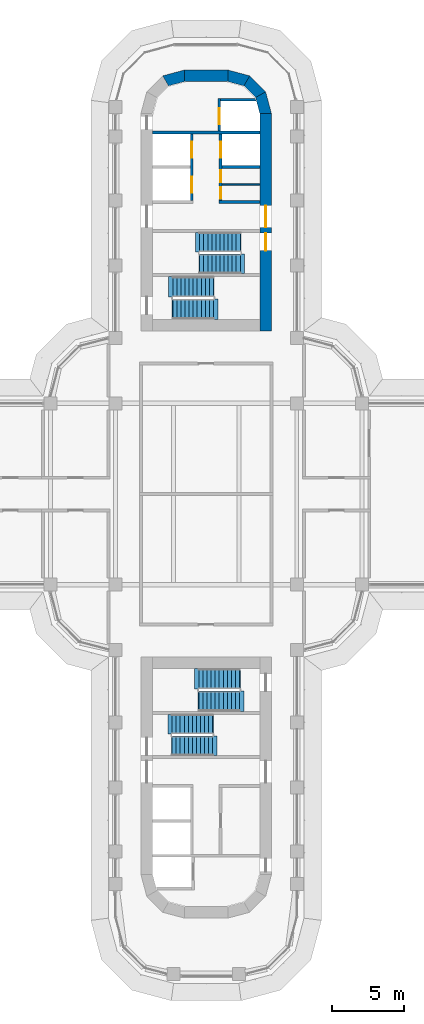
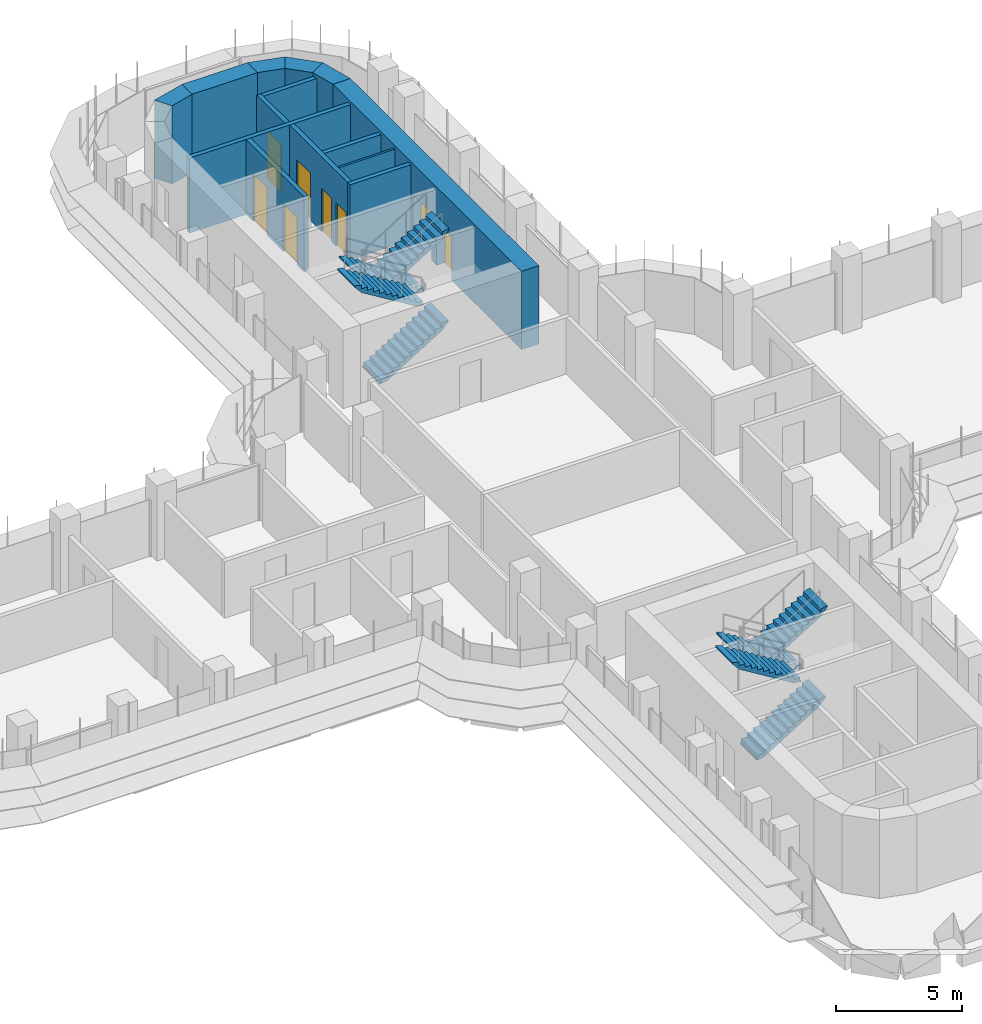
# One storey, part 17 of 21: 14 walls, 8 doors, 8 stair flights, 8 openings, 4 elements without a shape of their own.
"""IFC4 building model written with IfcOpenShell, lengths in metres."""

from ifc_helpers import new_model, si_unit, direction, frame, frame_2d, origin, place, context, subcontext, project, spatial, polyline, rectangle, outline, extrude, material, layer, layer_set, type_object, element, fill, aggregate, save


model = new_model("IFC4")

# Units and contexts
model_context = context("Model", 3, precision=1e-05, world=origin(), true_north=direction((0.0, 1.0)))
body_context = subcontext(model_context, "Body", "Model", "MODEL_VIEW")
ifc_project = project(units=[si_unit("LENGTHUNIT", "METRE"), si_unit("AREAUNIT", "SQUARE_METRE"), si_unit("VOLUMEUNIT", "CUBIC_METRE"), si_unit("PLANEANGLEUNIT", "RADIAN"), si_unit("MASSUNIT", "GRAM", prefix="KILO")], contexts=[model_context])

# Site, building, storey
site_placement = place(None, origin())
site = spatial("IfcSite", under=ifc_project, at=site_placement, CompositionType="ELEMENT")
building_placement = place(site_placement, origin())
building = spatial("IfcBuilding", under=site, at=building_placement, Name="Zarbagh Exchange Tower", CompositionType="ELEMENT")
storey_placement = place(building_placement, frame((0.0, 0.0, 120.800048828125)))
storey = spatial("IfcBuildingStorey", under=building, at=storey_placement, Name="L28", CompositionType="ELEMENT", Elevation=120.800048828125)

# Walls
ifc_material_1 = material(Name="Dense blockwork", Category="masonry")
ifc_layer_1 = layer(ifc_material_1, 0.10009765625)
ifc_layer_set_1 = layer_set([ifc_layer_1], Name="Core partition 100 mm blockwork")
wall_type_1 = type_object("IfcWallType", Name="Core partition 100 mm blockwork", PredefinedType="PARTITIONING", material=ifc_layer_set_1)
wall_1_placement = place(storey_placement, frame((1.10009765625, 21.35009765625, 0.0), z_axis=(0.0, 0.0, 1.0), x_axis=(1.0, 0.0, 0.0)))
element("IfcWall", 1, at=wall_1_placement, inside=storey, type_object=wall_type_1, Name="North core partition wall CUT-E-700", PredefinedType="PARTITIONING", context=body_context, shape_type="SweptSolid", body=[
    extrude(rectangle(XDim=2.599853515625, YDim=0.10009765625, at=frame_2d((1.2998046875, 0.0))), origin(), (0.0, 0.0, 1.0), 3.64990234375),
])
ifc_material_2 = material(Name="Concrete C60/75", Category="concrete")
ifc_layer_2 = layer(ifc_material_2, 0.800048828125)
ifc_layer_set_2 = layer_set([ifc_layer_2], Name="RC core corner wall 800 C60/75")
wall_type_2 = type_object("IfcWallType", Name="RC core corner wall 800 C60/75", PredefinedType="SHEAR", material=ifc_layer_set_2)
wall_2_placement = place(storey_placement, origin())
element("IfcWall", 2, at=wall_2_placement, inside=storey, type_object=wall_type_2, Name="CW4 core N corner W", PredefinedType="SHEAR", context=body_context, shape_type="SweptSolid", body=[
    extrude(outline(polyline([(-3.0, 28.84814453125), (-1.5, 29.25), (-1.5, 28.449951171875), (-2.60009765625, 28.1552734375), (-3.0, 28.84814453125)])), origin(), (0.0, 0.0, 1.0), 3.800048828125),
])
wall_3_placement = place(storey_placement, origin())
element("IfcWall", 3, at=wall_3_placement, inside=storey, type_object=wall_type_2, Name="CW4 core N corner E", PredefinedType="SHEAR", context=body_context, shape_type="SweptSolid", body=[
    extrude(outline(polyline([(4.5, 26.25), (4.09814453125, 27.75), (3.4052734375, 27.35009765625), (3.699951171875, 26.25), (4.5, 26.25)])), origin(), (0.0, 0.0, 1.0), 3.800048828125),
])
wall_4_placement = place(storey_placement, origin())
element("IfcWall", 4, at=wall_4_placement, inside=storey, type_object=wall_type_2, Name="CW4 core N corner E", PredefinedType="SHEAR", context=body_context, shape_type="SweptSolid", body=[
    extrude(outline(polyline([(4.09814453125, 27.75), (3.0, 28.84814453125), (2.60009765625, 28.1552734375), (3.4052734375, 27.35009765625), (4.09814453125, 27.75)])), origin(), (0.0, 0.0, 1.0), 3.800048828125),
])
wall_5_placement = place(storey_placement, origin())
element("IfcWall", 5, at=wall_5_placement, inside=storey, type_object=wall_type_2, Name="CW4 core N corner E", PredefinedType="SHEAR", context=body_context, shape_type="SweptSolid", body=[
    extrude(outline(polyline([(3.0, 28.84814453125), (1.5, 29.25), (1.5, 28.449951171875), (2.60009765625, 28.1552734375), (3.0, 28.84814453125)])), origin(), (0.0, 0.0, 1.0), 3.800048828125),
])

# Wall, openings, doors
ifc_layer_3 = layer(ifc_material_2, 0.800048828125)
ifc_layer_set_3 = layer_set([ifc_layer_3], Name="RC core wall 800 C60/75")
wall_type_3 = type_object("IfcWallType", Name="RC core wall 800 C60/75", PredefinedType="SHEAR", material=ifc_layer_set_3)
wall_6_placement = place(storey_placement, frame((4.10009765625, 11.25, 0.0), z_axis=(0.0, 0.0, 1.0), x_axis=(0.0, 1.0, 0.0)))
wall_6 = element("IfcWall", 6, at=wall_6_placement, inside=storey, type_object=wall_type_3, Name="CW3 core N E", PredefinedType="SHEAR", context=body_context, shape_type="SweptSolid", body=[
    extrude(rectangle(XDim=15.0, YDim=0.800048828125, at=frame_2d((7.5, 0.0))), origin(), (0.0, 0.0, 1.0), 3.800048828125),
])
opening_1_placement = place(wall_6_placement, frame((7.14990234375, 0.0, 0.0)))
opening_1 = element("IfcOpeningElement", 7, at=opening_1_placement, cuts=wall_6, Name="Opening CD1-1500", PredefinedType="OPENING", context=body_context, shape_type="SweptSolid", body=[
    extrude(rectangle(XDim=1.5, YDim=2.300048828125, at=frame_2d((0.75, 1.14990234375))), frame((0.0, 0.409912109375, 0.0), z_axis=(0.0, -1.0, 0.0), x_axis=(1.0, 0.0, 0.0)), (0.0, 0.0, 1.0), 0.820068359375),
])
opening_2_placement = place(wall_6_placement, frame((5.550048828125, 0.0, 0.0)))
opening_2 = element("IfcOpeningElement", 8, at=opening_2_placement, cuts=wall_6, Name="Opening SD1-1200", PredefinedType="OPENING", context=body_context, shape_type="SweptSolid", body=[
    extrude(rectangle(XDim=1.199951171875, YDim=2.10009765625, at=frame_2d((0.60009765625, 1.050048828125))), frame((0.0, 0.409912109375, 0.0), z_axis=(0.0, -1.0, 0.0), x_axis=(1.0, 0.0, 0.0)), (0.0, 0.0, 1.0), 0.820068359375),
])
ifc_material_3 = material(Name="Steel", Category="steel")
door_type_1 = type_object("IfcDoorType", Name="Exit stair door 1200 x 2100", OperationType="NOTDEFINED", PredefinedType="DOOR", material=ifc_material_3)
door_1_placement = place(opening_2_placement, origin())
door_1 = element("IfcDoor", 9, at=door_1_placement, inside=storey, type_object=door_type_1, Name="North core stair door ST1", OperationType="SINGLE_SWING_RIGHT", OverallHeight=2.10009765625, OverallWidth=1.199951171875, PredefinedType="DOOR", context=body_context, shape_type="SweptSolid", body=[
    extrude(rectangle(XDim=1.199951171875, YDim=2.10009765625, at=frame_2d((0.60009765625, 1.050048828125))), frame((0.0, 0.02490234375, 0.0), z_axis=(0.0, -1.0, 0.0), x_axis=(1.0, 0.0, 0.0)), (0.0, 0.0, 1.0), 0.050048828125),
])
fill(opening_2, door_1)
door_type_2 = type_object("IfcDoorType", Name="Lift lobby double door 1500 x 2300", OperationType="NOTDEFINED", PredefinedType="DOOR", material=ifc_material_3)
door_2_placement = place(opening_1_placement, origin())
door_2 = element("IfcDoor", 10, at=door_2_placement, inside=storey, type_object=door_type_2, Name="North core lift lobby door LOBBY-E", OperationType="DOUBLE_DOOR_SINGLE_SWING", OverallHeight=2.300048828125, OverallWidth=1.5, PredefinedType="DOOR", context=body_context, shape_type="SweptSolid", body=[
    extrude(rectangle(XDim=1.5, YDim=2.300048828125, at=frame_2d((0.75, 1.14990234375))), frame((0.0, 0.02490234375, 0.0), z_axis=(0.0, -1.0, 0.0), x_axis=(1.0, 0.0, 0.0)), (0.0, 0.0, 1.0), 0.050048828125),
])
fill(opening_1, door_2)

# Wall
wall_7_placement = place(storey_placement, frame((-1.5, 28.85009765625, 0.0), z_axis=(0.0, 0.0, 1.0), x_axis=(1.0, 0.0, 0.0)))
element("IfcWall", 11, at=wall_7_placement, inside=storey, type_object=wall_type_3, Name="CW3 core N outer end", PredefinedType="SHEAR", context=body_context, shape_type="SweptSolid", body=[
    extrude(rectangle(XDim=3.0, YDim=0.800048828125, at=frame_2d((1.5, 0.0))), origin(), (0.0, 0.0, 1.0), 3.800048828125),
])

# Wall, openings, doors
ifc_layer_4 = layer(ifc_material_1, 0.199951171875)
ifc_layer_set_4 = layer_set([ifc_layer_4], Name="Shaft wall 200 mm blockwork")
wall_type_4 = type_object("IfcWallType", Name="Shaft wall 200 mm blockwork", PredefinedType="PARTITIONING", material=ifc_layer_set_4)
wall_8_placement = place(storey_placement, frame((-1.0, 24.85009765625, 0.0), z_axis=(0.0, 0.0, 1.0), x_axis=(0.0, -1.0, 0.0)))
wall_8 = element("IfcWall", 12, at=wall_8_placement, inside=storey, type_object=wall_type_4, Name="North core shaft wall LW-W", PredefinedType="PARTITIONING", context=body_context, shape_type="SweptSolid", body=[
    extrude(rectangle(XDim=4.60009765625, YDim=0.199951171875, at=frame_2d((2.300048828125, 0.0))), origin(), (0.0, 0.0, 1.0), 3.64990234375),
])
opening_3_placement = place(wall_8_placement, frame((0.550048828125, 0.0, 0.0)))
opening_3 = element("IfcOpeningElement", 13, at=opening_3_placement, cuts=wall_8, Name="Opening LD-1100", PredefinedType="OPENING", context=body_context, shape_type="SweptSolid", body=[
    extrude(rectangle(XDim=1.10009765625, YDim=2.300048828125, at=frame_2d((0.550048828125, 1.14990234375))), frame((0.0, 0.10986328125, 0.0), z_axis=(0.0, -1.0, 0.0), x_axis=(1.0, 0.0, 0.0)), (0.0, 0.0, 1.0), 0.219970703125),
])
opening_4_placement = place(wall_8_placement, frame((2.949951171875, 0.0, 0.0)))
opening_4 = element("IfcOpeningElement", 14, at=opening_4_placement, cuts=wall_8, Name="Opening LD-1100", PredefinedType="OPENING", context=body_context, shape_type="SweptSolid", body=[
    extrude(rectangle(XDim=1.10009765625, YDim=2.300048828125, at=frame_2d((0.550048828125, 1.14990234375))), frame((0.0, 0.10986328125, 0.0), z_axis=(0.0, -1.0, 0.0), x_axis=(1.0, 0.0, 0.0)), (0.0, 0.0, 1.0), 0.219970703125),
])
ifc_material_4 = material(Name="Stainless steel", Category="steel")
door_type_3 = type_object("IfcDoorType", Name="Lift landing door 1100 x 2300", OperationType="NOTDEFINED", PredefinedType="DOOR", material=ifc_material_4)
door_3_placement = place(opening_3_placement, origin())
door_3 = element("IfcDoor", 15, at=door_3_placement, inside=storey, type_object=door_type_3, Name="North core lift landing door LD-P-N1", OperationType="DOUBLE_DOOR_SLIDING", OverallHeight=2.300048828125, OverallWidth=1.10009765625, PredefinedType="DOOR", context=body_context, shape_type="SweptSolid", body=[
    extrude(rectangle(XDim=1.10009765625, YDim=2.300048828125, at=frame_2d((0.550048828125, 1.14990234375))), frame((0.0, 0.02490234375, 0.0), z_axis=(0.0, -1.0, 0.0), x_axis=(1.0, 0.0, 0.0)), (0.0, 0.0, 1.0), 0.050048828125),
])
fill(opening_3, door_3)
door_4_placement = place(opening_4_placement, origin())
door_4 = element("IfcDoor", 16, at=door_4_placement, inside=storey, type_object=door_type_3, Name="North core lift landing door LD-P-N2", OperationType="DOUBLE_DOOR_SLIDING", OverallHeight=2.300048828125, OverallWidth=1.10009765625, PredefinedType="DOOR", context=body_context, shape_type="SweptSolid", body=[
    extrude(rectangle(XDim=1.10009765625, YDim=2.300048828125, at=frame_2d((0.550048828125, 1.14990234375))), frame((0.0, 0.02490234375, 0.0), z_axis=(0.0, -1.0, 0.0), x_axis=(1.0, 0.0, 0.0)), (0.0, 0.0, 1.0), 0.050048828125),
])
fill(opening_4, door_4)

# Wall
wall_9_placement = place(storey_placement, frame((0.89990234375, 20.14990234375, 0.0), z_axis=(0.0, 0.0, 1.0), x_axis=(1.0, 0.0, 0.0)))
element("IfcWall", 17, at=wall_9_placement, inside=storey, type_object=wall_type_4, Name="North core shaft wall AB-E", PredefinedType="PARTITIONING", context=body_context, shape_type="SweptSolid", body=[
    extrude(rectangle(XDim=2.800048828125, YDim=0.199951171875, at=frame_2d((1.39990234375, 0.0))), origin(), (0.0, 0.0, 1.0), 3.64990234375),
])

# Wall, openings, doors
wall_10_placement = place(storey_placement, frame((1.0, 24.85009765625, 0.0), z_axis=(0.0, 0.0, 1.0), x_axis=(0.0, -1.0, 0.0)))
wall_10 = element("IfcWall", 18, at=wall_10_placement, inside=storey, type_object=wall_type_4, Name="North core shaft wall LW-E", PredefinedType="PARTITIONING", context=body_context, shape_type="SweptSolid", body=[
    extrude(rectangle(XDim=4.60009765625, YDim=0.199951171875, at=frame_2d((2.300048828125, 0.0))), origin(), (0.0, 0.0, 1.0), 3.64990234375),
])
opening_5_placement = place(wall_10_placement, frame((0.550048828125, 0.0, 0.0)))
opening_5 = element("IfcOpeningElement", 19, at=opening_5_placement, cuts=wall_10, Name="Opening LD-1100", PredefinedType="OPENING", context=body_context, shape_type="SweptSolid", body=[
    extrude(rectangle(XDim=1.10009765625, YDim=2.300048828125, at=frame_2d((0.550048828125, 1.14990234375))), frame((0.0, 0.10986328125, 0.0), z_axis=(0.0, -1.0, 0.0), x_axis=(1.0, 0.0, 0.0)), (0.0, 0.0, 1.0), 0.219970703125),
])
opening_6_placement = place(wall_10_placement, frame((2.52490234375, 0.0, 0.0)))
opening_6 = element("IfcOpeningElement", 20, at=opening_6_placement, cuts=wall_10, Name="Opening CD3-800", PredefinedType="OPENING", context=body_context, shape_type="SweptSolid", body=[
    extrude(rectangle(XDim=0.800048828125, YDim=2.10009765625, at=frame_2d((0.39990234375, 1.050048828125))), frame((0.0, 0.10986328125, 0.0), z_axis=(0.0, -1.0, 0.0), x_axis=(1.0, 0.0, 0.0)), (0.0, 0.0, 1.0), 0.219970703125),
])
opening_7_placement = place(wall_10_placement, frame((3.675048828125, 0.0, 0.0)))
opening_7 = element("IfcOpeningElement", 21, at=opening_7_placement, cuts=wall_10, Name="Opening CD3-800", PredefinedType="OPENING", context=body_context, shape_type="SweptSolid", body=[
    extrude(rectangle(XDim=0.800048828125, YDim=2.10009765625, at=frame_2d((0.39990234375, 1.050048828125))), frame((0.0, 0.10986328125, 0.0), z_axis=(0.0, -1.0, 0.0), x_axis=(1.0, 0.0, 0.0)), (0.0, 0.0, 1.0), 0.219970703125),
])
door_type_4 = type_object("IfcDoorType", Name="Core room door 800 x 2100", OperationType="NOTDEFINED", PredefinedType="DOOR", material=ifc_material_3)
door_5_placement = place(opening_6_placement, origin())
door_5 = element("IfcDoor", 22, at=door_5_placement, inside=storey, type_object=door_type_4, Name="North core Store door RD-E-0", OperationType="SINGLE_SWING_LEFT", OverallHeight=2.10009765625, OverallWidth=0.800048828125, PredefinedType="DOOR", context=body_context, shape_type="SweptSolid", body=[
    extrude(rectangle(XDim=0.800048828125, YDim=2.10009765625, at=frame_2d((0.39990234375, 1.050048828125))), frame((0.0, 0.02490234375, 0.0), z_axis=(0.0, -1.0, 0.0), x_axis=(1.0, 0.0, 0.0)), (0.0, 0.0, 1.0), 0.050048828125),
])
fill(opening_6, door_5)
door_6_placement = place(opening_7_placement, origin())
door_6 = element("IfcDoor", 23, at=door_6_placement, inside=storey, type_object=door_type_4, Name="North core IT room door RD-E-1", OperationType="SINGLE_SWING_RIGHT", OverallHeight=2.10009765625, OverallWidth=0.800048828125, PredefinedType="DOOR", context=body_context, shape_type="SweptSolid", body=[
    extrude(rectangle(XDim=0.800048828125, YDim=2.10009765625, at=frame_2d((0.39990234375, 1.050048828125))), frame((0.0, 0.02490234375, 0.0), z_axis=(0.0, -1.0, 0.0), x_axis=(1.0, 0.0, 0.0)), (0.0, 0.0, 1.0), 0.050048828125),
])
fill(opening_7, door_6)
door_7_placement = place(opening_5_placement, origin())
door_7 = element("IfcDoor", 24, at=door_7_placement, inside=storey, type_object=door_type_3, Name="North core lift landing door LD-P-N3", OperationType="DOUBLE_DOOR_SLIDING", OverallHeight=2.300048828125, OverallWidth=1.10009765625, PredefinedType="DOOR", context=body_context, shape_type="SweptSolid", body=[
    extrude(rectangle(XDim=1.10009765625, YDim=2.300048828125, at=frame_2d((0.550048828125, 1.14990234375))), frame((0.0, 0.02490234375, 0.0), z_axis=(0.0, -1.0, 0.0), x_axis=(1.0, 0.0, 0.0)), (0.0, 0.0, 1.0), 0.050048828125),
])
fill(opening_5, door_7)

# Walls
wall_11_placement = place(storey_placement, frame((1.10009765625, 22.550048828125, 0.0), z_axis=(0.0, 0.0, 1.0), x_axis=(1.0, 0.0, 0.0)))
element("IfcWall", 25, at=wall_11_placement, inside=storey, type_object=wall_type_4, Name="North core shaft wall TR-E", PredefinedType="PARTITIONING", context=body_context, shape_type="SweptSolid", body=[
    extrude(rectangle(XDim=2.599853515625, YDim=0.199951171875, at=frame_2d((1.2998046875, 0.0))), origin(), (0.0, 0.0, 1.0), 3.64990234375),
])
ifc_material_5 = material(Name="Concrete C40/50", Category="concrete")
ifc_layer_5 = layer(ifc_material_5, 0.199951171875)
ifc_layer_set_5 = layer_set([ifc_layer_5], Name="Stair enclosure wall 200 mm RC C40/50")
wall_type_5 = type_object("IfcWallType", Name="Stair enclosure wall 200 mm RC C40/50", PredefinedType="SHEAR", material=ifc_layer_set_5)
wall_12_placement = place(storey_placement, frame((-3.699951171875, 24.949951171875, 0.0), z_axis=(0.0, 0.0, 1.0), x_axis=(1.0, 0.0, 0.0)))
element("IfcWall", 26, at=wall_12_placement, inside=storey, type_object=wall_type_5, Name="North core lift shaft wall FFA", PredefinedType="SHEAR", context=body_context, shape_type="SweptSolid", body=[
    extrude(rectangle(XDim=7.39990234375, YDim=0.199951171875, at=frame_2d((3.699951171875, 0.0))), origin(), (0.0, 0.0, 1.0), 3.64990234375),
])

# Wall, opening, door
wall_13_placement = place(storey_placement, frame((0.89990234375, 27.300048828125, 0.0), z_axis=(0.0, 0.0, 1.0), x_axis=(0.0, -1.0, 0.0)))
wall_13 = element("IfcWall", 27, at=wall_13_placement, inside=storey, type_object=wall_type_5, Name="North core lift shaft wall FFL", PredefinedType="SHEAR", context=body_context, shape_type="SweptSolid", body=[
    extrude(rectangle(XDim=2.25, YDim=0.199951171875, at=frame_2d((1.125, 0.0))), origin(), (0.0, 0.0, 1.0), 3.64990234375),
])
opening_8_placement = place(wall_13_placement, frame((0.699951171875, 0.0, 0.0)))
opening_8 = element("IfcOpeningElement", 28, at=opening_8_placement, cuts=wall_13, Name="Opening LD-1100", PredefinedType="OPENING", context=body_context, shape_type="SweptSolid", body=[
    extrude(rectangle(XDim=1.10009765625, YDim=2.300048828125, at=frame_2d((0.550048828125, 1.14990234375))), frame((0.0, 0.10986328125, 0.0), z_axis=(0.0, -1.0, 0.0), x_axis=(1.0, 0.0, 0.0)), (0.0, 0.0, 1.0), 0.219970703125),
])
door_8_placement = place(opening_8_placement, origin())
door_8 = element("IfcDoor", 29, at=door_8_placement, inside=storey, type_object=door_type_3, Name="North core lift landing door LD-F", OperationType="DOUBLE_DOOR_SLIDING", OverallHeight=2.300048828125, OverallWidth=1.10009765625, PredefinedType="DOOR", context=body_context, shape_type="SweptSolid", body=[
    extrude(rectangle(XDim=1.10009765625, YDim=2.300048828125, at=frame_2d((0.550048828125, 1.14990234375))), frame((0.0, 0.02490234375, 0.0), z_axis=(0.0, -1.0, 0.0), x_axis=(1.0, 0.0, 0.0)), (0.0, 0.0, 1.0), 0.050048828125),
])
fill(opening_8, door_8)

# Wall
wall_14_placement = place(storey_placement, origin())
element("IfcWall", 30, at=wall_14_placement, inside=storey, type_object=wall_type_5, Name="North core lift shaft wall FFX", PredefinedType="SHEAR", context=body_context, shape_type="SweptSolid", body=[
    extrude(outline(polyline([(1.0, 27.10009765625), (3.444091796875, 27.10009765625), (3.390380859375, 27.300048828125), (1.0, 27.300048828125), (1.0, 27.10009765625)])), origin(), (0.0, 0.0, 1.0), 3.64990234375),
])

# Stair, stair flights
stair_type = type_object("IfcStairType", Name="Exit stair two-flight half-turn", PredefinedType="HALF_TURN_STAIR", material=ifc_material_5)
stair_1_placement = place(storey_placement, origin())
stair_1 = element("IfcStair", 31, at=stair_1_placement, inside=storey, type_object=stair_type, Name="exit stair ST1", PredefinedType="HALF_TURN_STAIR")
stair_flight_type_1 = type_object("IfcStairFlightType", Name="Stair flight 1350 mm", PredefinedType="STRAIGHT", material=ifc_material_5)
stair_flight_1_placement = place(storey_placement, frame((2.35009765625, 17.375, 0.0), z_axis=(0.0, 0.0, 1.0), x_axis=(-1.0, 0.0, 0.0)))
stair_flight_1 = element("IfcStairFlight", 32, at=stair_flight_1_placement, type_object=stair_flight_type_1, Name="ST1 flight 1", NumberOfRisers=11, NumberOfTreads=10, PredefinedType="STRAIGHT", RiserHeight=0.172727273, TreadLength=0.28, context=body_context, shape_type="SweptSolid", body=[
    extrude(outline(polyline([(-0.050048828125, -0.050048828125), (-0.050048828125, 0.0), (0.0, 0.0), (0.0, 0.172607421875), (0.280029296875, 0.172607421875), (0.280029296875, 0.345458984375), (0.56005859375, 0.345458984375), (0.56005859375, 0.51806640625), (0.840087890625, 0.51806640625), (0.840087890625, 0.69091796875), (1.1201171875, 0.69091796875), (1.1201171875, 0.863525390625), (1.39990234375, 0.863525390625), (1.39990234375, 1.036376953125), (1.679931640625, 1.036376953125), (1.679931640625, 1.208984375), (1.9599609375, 1.208984375), (1.9599609375, 1.3818359375), (2.239990234375, 1.3818359375), (2.239990234375, 1.554443359375), (2.52001953125, 1.554443359375), (2.52001953125, 1.727294921875), (2.800048828125, 1.727294921875), (2.800048828125, 1.89990234375), (3.10009765625, 1.97998046875), (3.10009765625, 1.89990234375), (2.800048828125, 1.551025390625), (0.285400390625, 0.0), (-0.050048828125, -0.050048828125)])), frame((0.0, 0.675048828125, 0.0), z_axis=(0.0, -1.0, 0.0), x_axis=(1.0, 0.0, 0.0)), (0.0, 0.0, 1.0), 1.35009765625),
])
stair_flight_2_placement = place(storey_placement, frame((-0.449951171875, 15.875, 1.89990234375), z_axis=(0.0, 0.0, 1.0), x_axis=(1.0, 0.0, 0.0)))
stair_flight_2 = element("IfcStairFlight", 33, at=stair_flight_2_placement, type_object=stair_flight_type_1, Name="ST1 flight 2", NumberOfRisers=11, NumberOfTreads=10, PredefinedType="STRAIGHT", RiserHeight=0.172727273, TreadLength=0.28, context=body_context, shape_type="SweptSolid", body=[
    extrude(outline(polyline([(-0.050048828125, -0.050048828125), (-0.050048828125, 0.0), (0.0, 0.0), (0.0, 0.172607421875), (0.280029296875, 0.172607421875), (0.280029296875, 0.345458984375), (0.56005859375, 0.345458984375), (0.56005859375, 0.51806640625), (0.840087890625, 0.51806640625), (0.840087890625, 0.69091796875), (1.1201171875, 0.69091796875), (1.1201171875, 0.863525390625), (1.39990234375, 0.863525390625), (1.39990234375, 1.036376953125), (1.679931640625, 1.036376953125), (1.679931640625, 1.208984375), (1.9599609375, 1.208984375), (1.9599609375, 1.3818359375), (2.239990234375, 1.3818359375), (2.239990234375, 1.554443359375), (2.52001953125, 1.554443359375), (2.52001953125, 1.727294921875), (2.800048828125, 1.727294921875), (2.800048828125, 1.89990234375), (3.10009765625, 1.97998046875), (3.10009765625, 1.89990234375), (2.800048828125, 1.551025390625), (0.285400390625, 0.0), (-0.050048828125, -0.050048828125)])), frame((0.0, 0.675048828125, 0.0), z_axis=(0.0, -1.0, 0.0), x_axis=(1.0, 0.0, 0.0)), (0.0, 0.0, 1.0), 1.35009765625),
])
aggregate(stair_1, [stair_flight_1, stair_flight_2])

stair_2_placement = place(storey_placement, origin())
stair_2 = element("IfcStair", 34, at=stair_2_placement, inside=storey, type_object=stair_type, Name="exit stair ST3", PredefinedType="HALF_TURN_STAIR")
stair_flight_3_placement = place(storey_placement, frame((-2.35009765625, -17.375, 0.0), z_axis=(0.0, 0.0, 1.0), x_axis=(1.0, 0.0, 0.0)))
stair_flight_3 = element("IfcStairFlight", 35, at=stair_flight_3_placement, type_object=stair_flight_type_1, Name="ST3 flight 1", NumberOfRisers=11, NumberOfTreads=10, PredefinedType="STRAIGHT", RiserHeight=0.172727273, TreadLength=0.28, context=body_context, shape_type="SweptSolid", body=[
    extrude(outline(polyline([(-0.050048828125, -0.050048828125), (-0.050048828125, 0.0), (0.0, 0.0), (0.0, 0.172607421875), (0.280029296875, 0.172607421875), (0.280029296875, 0.345458984375), (0.56005859375, 0.345458984375), (0.56005859375, 0.51806640625), (0.840087890625, 0.51806640625), (0.840087890625, 0.69091796875), (1.1201171875, 0.69091796875), (1.1201171875, 0.863525390625), (1.39990234375, 0.863525390625), (1.39990234375, 1.036376953125), (1.679931640625, 1.036376953125), (1.679931640625, 1.208984375), (1.9599609375, 1.208984375), (1.9599609375, 1.3818359375), (2.239990234375, 1.3818359375), (2.239990234375, 1.554443359375), (2.52001953125, 1.554443359375), (2.52001953125, 1.727294921875), (2.800048828125, 1.727294921875), (2.800048828125, 1.89990234375), (3.10009765625, 1.97998046875), (3.10009765625, 1.89990234375), (2.800048828125, 1.551025390625), (0.285400390625, 0.0), (-0.050048828125, -0.050048828125)])), frame((0.0, 0.675048828125, 0.0), z_axis=(0.0, -1.0, 0.0), x_axis=(1.0, 0.0, 0.0)), (0.0, 0.0, 1.0), 1.35009765625),
])
stair_flight_4_placement = place(storey_placement, frame((0.449951171875, -15.875, 1.89990234375), z_axis=(0.0, 0.0, 1.0), x_axis=(-1.0, 0.0, 0.0)))
stair_flight_4 = element("IfcStairFlight", 36, at=stair_flight_4_placement, type_object=stair_flight_type_1, Name="ST3 flight 2", NumberOfRisers=11, NumberOfTreads=10, PredefinedType="STRAIGHT", RiserHeight=0.172727273, TreadLength=0.28, context=body_context, shape_type="SweptSolid", body=[
    extrude(outline(polyline([(-0.050048828125, -0.050048828125), (-0.050048828125, 0.0), (0.0, 0.0), (0.0, 0.172607421875), (0.280029296875, 0.172607421875), (0.280029296875, 0.345458984375), (0.56005859375, 0.345458984375), (0.56005859375, 0.51806640625), (0.840087890625, 0.51806640625), (0.840087890625, 0.69091796875), (1.1201171875, 0.69091796875), (1.1201171875, 0.863525390625), (1.39990234375, 0.863525390625), (1.39990234375, 1.036376953125), (1.679931640625, 1.036376953125), (1.679931640625, 1.208984375), (1.9599609375, 1.208984375), (1.9599609375, 1.3818359375), (2.239990234375, 1.3818359375), (2.239990234375, 1.554443359375), (2.52001953125, 1.554443359375), (2.52001953125, 1.727294921875), (2.800048828125, 1.727294921875), (2.800048828125, 1.89990234375), (3.10009765625, 1.97998046875), (3.10009765625, 1.89990234375), (2.800048828125, 1.551025390625), (0.285400390625, 0.0), (-0.050048828125, -0.050048828125)])), frame((0.0, 0.675048828125, 0.0), z_axis=(0.0, -1.0, 0.0), x_axis=(1.0, 0.0, 0.0)), (0.0, 0.0, 1.0), 1.35009765625),
])
aggregate(stair_2, [stair_flight_3, stair_flight_4])

stair_3_placement = place(storey_placement, origin())
stair_3 = element("IfcStair", 37, at=stair_3_placement, inside=storey, type_object=stair_type, Name="exit stair ST2", PredefinedType="HALF_TURN_STAIR")
stair_flight_type_2 = type_object("IfcStairFlightType", Name="Stair flight 1400 mm", PredefinedType="STRAIGHT", material=ifc_material_5)
stair_flight_5_placement = place(storey_placement, frame((-2.300048828125, 12.75, 0.0), z_axis=(0.0, 0.0, 1.0), x_axis=(1.0, 0.0, 0.0)))
stair_flight_5 = element("IfcStairFlight", 38, at=stair_flight_5_placement, type_object=stair_flight_type_2, Name="ST2 flight 1", NumberOfRisers=11, NumberOfTreads=10, PredefinedType="STRAIGHT", RiserHeight=0.172727273, TreadLength=0.28, context=body_context, shape_type="SweptSolid", body=[
    extrude(outline(polyline([(-0.050048828125, -0.050048828125), (-0.050048828125, 0.0), (0.0, 0.0), (0.0, 0.172607421875), (0.280029296875, 0.172607421875), (0.280029296875, 0.345458984375), (0.56005859375, 0.345458984375), (0.56005859375, 0.51806640625), (0.840087890625, 0.51806640625), (0.840087890625, 0.69091796875), (1.1201171875, 0.69091796875), (1.1201171875, 0.863525390625), (1.39990234375, 0.863525390625), (1.39990234375, 1.036376953125), (1.679931640625, 1.036376953125), (1.679931640625, 1.208984375), (1.9599609375, 1.208984375), (1.9599609375, 1.3818359375), (2.239990234375, 1.3818359375), (2.239990234375, 1.554443359375), (2.52001953125, 1.554443359375), (2.52001953125, 1.727294921875), (2.800048828125, 1.727294921875), (2.800048828125, 1.89990234375), (3.10009765625, 1.97998046875), (3.10009765625, 1.89990234375), (2.800048828125, 1.551025390625), (0.285400390625, 0.0), (-0.050048828125, -0.050048828125)])), frame((0.0, 0.699951171875, 0.0), z_axis=(0.0, -1.0, 0.0), x_axis=(1.0, 0.0, 0.0)), (0.0, 0.0, 1.0), 1.39990234375),
])
stair_flight_6_placement = place(storey_placement, frame((0.5, 14.300048828125, 1.89990234375), z_axis=(0.0, 0.0, 1.0), x_axis=(-1.0, 0.0, 0.0)))
stair_flight_6 = element("IfcStairFlight", 39, at=stair_flight_6_placement, type_object=stair_flight_type_2, Name="ST2 flight 2", NumberOfRisers=11, NumberOfTreads=10, PredefinedType="STRAIGHT", RiserHeight=0.172727273, TreadLength=0.28, context=body_context, shape_type="SweptSolid", body=[
    extrude(outline(polyline([(-0.050048828125, -0.050048828125), (-0.050048828125, 0.0), (0.0, 0.0), (0.0, 0.172607421875), (0.280029296875, 0.172607421875), (0.280029296875, 0.345458984375), (0.56005859375, 0.345458984375), (0.56005859375, 0.51806640625), (0.840087890625, 0.51806640625), (0.840087890625, 0.69091796875), (1.1201171875, 0.69091796875), (1.1201171875, 0.863525390625), (1.39990234375, 0.863525390625), (1.39990234375, 1.036376953125), (1.679931640625, 1.036376953125), (1.679931640625, 1.208984375), (1.9599609375, 1.208984375), (1.9599609375, 1.3818359375), (2.239990234375, 1.3818359375), (2.239990234375, 1.554443359375), (2.52001953125, 1.554443359375), (2.52001953125, 1.727294921875), (2.800048828125, 1.727294921875), (2.800048828125, 1.89990234375), (3.10009765625, 1.97998046875), (3.10009765625, 1.89990234375), (2.800048828125, 1.551025390625), (0.285400390625, 0.0), (-0.050048828125, -0.050048828125)])), frame((0.0, 0.699951171875, 0.0), z_axis=(0.0, -1.0, 0.0), x_axis=(1.0, 0.0, 0.0)), (0.0, 0.0, 1.0), 1.39990234375),
])
aggregate(stair_3, [stair_flight_5, stair_flight_6])

stair_4_placement = place(storey_placement, origin())
stair_4 = element("IfcStair", 40, at=stair_4_placement, inside=storey, type_object=stair_type, Name="exit stair ST4", PredefinedType="HALF_TURN_STAIR")
stair_flight_7_placement = place(storey_placement, frame((2.300048828125, -12.75, 0.0), z_axis=(0.0, 0.0, 1.0), x_axis=(-1.0, 0.0, 0.0)))
stair_flight_7 = element("IfcStairFlight", 41, at=stair_flight_7_placement, type_object=stair_flight_type_2, Name="ST4 flight 1", NumberOfRisers=11, NumberOfTreads=10, PredefinedType="STRAIGHT", RiserHeight=0.172727273, TreadLength=0.28, context=body_context, shape_type="SweptSolid", body=[
    extrude(outline(polyline([(-0.050048828125, -0.050048828125), (-0.050048828125, 0.0), (0.0, 0.0), (0.0, 0.172607421875), (0.280029296875, 0.172607421875), (0.280029296875, 0.345458984375), (0.56005859375, 0.345458984375), (0.56005859375, 0.51806640625), (0.840087890625, 0.51806640625), (0.840087890625, 0.69091796875), (1.1201171875, 0.69091796875), (1.1201171875, 0.863525390625), (1.39990234375, 0.863525390625), (1.39990234375, 1.036376953125), (1.679931640625, 1.036376953125), (1.679931640625, 1.208984375), (1.9599609375, 1.208984375), (1.9599609375, 1.3818359375), (2.239990234375, 1.3818359375), (2.239990234375, 1.554443359375), (2.52001953125, 1.554443359375), (2.52001953125, 1.727294921875), (2.800048828125, 1.727294921875), (2.800048828125, 1.89990234375), (3.10009765625, 1.97998046875), (3.10009765625, 1.89990234375), (2.800048828125, 1.551025390625), (0.285400390625, 0.0), (-0.050048828125, -0.050048828125)])), frame((0.0, 0.699951171875, 0.0), z_axis=(0.0, -1.0, 0.0), x_axis=(1.0, 0.0, 0.0)), (0.0, 0.0, 1.0), 1.39990234375),
])
stair_flight_8_placement = place(storey_placement, frame((-0.5, -14.300048828125, 1.89990234375), z_axis=(0.0, 0.0, 1.0), x_axis=(1.0, 0.0, 0.0)))
stair_flight_8 = element("IfcStairFlight", 42, at=stair_flight_8_placement, type_object=stair_flight_type_2, Name="ST4 flight 2", NumberOfRisers=11, NumberOfTreads=10, PredefinedType="STRAIGHT", RiserHeight=0.172727273, TreadLength=0.28, context=body_context, shape_type="SweptSolid", body=[
    extrude(outline(polyline([(-0.050048828125, -0.050048828125), (-0.050048828125, 0.0), (0.0, 0.0), (0.0, 0.172607421875), (0.280029296875, 0.172607421875), (0.280029296875, 0.345458984375), (0.56005859375, 0.345458984375), (0.56005859375, 0.51806640625), (0.840087890625, 0.51806640625), (0.840087890625, 0.69091796875), (1.1201171875, 0.69091796875), (1.1201171875, 0.863525390625), (1.39990234375, 0.863525390625), (1.39990234375, 1.036376953125), (1.679931640625, 1.036376953125), (1.679931640625, 1.208984375), (1.9599609375, 1.208984375), (1.9599609375, 1.3818359375), (2.239990234375, 1.3818359375), (2.239990234375, 1.554443359375), (2.52001953125, 1.554443359375), (2.52001953125, 1.727294921875), (2.800048828125, 1.727294921875), (2.800048828125, 1.89990234375), (3.10009765625, 1.97998046875), (3.10009765625, 1.89990234375), (2.800048828125, 1.551025390625), (0.285400390625, 0.0), (-0.050048828125, -0.050048828125)])), frame((0.0, 0.699951171875, 0.0), z_axis=(0.0, -1.0, 0.0), x_axis=(1.0, 0.0, 0.0)), (0.0, 0.0, 1.0), 1.39990234375),
])
aggregate(stair_4, [stair_flight_7, stair_flight_8])

save(model, "model.ifc")
